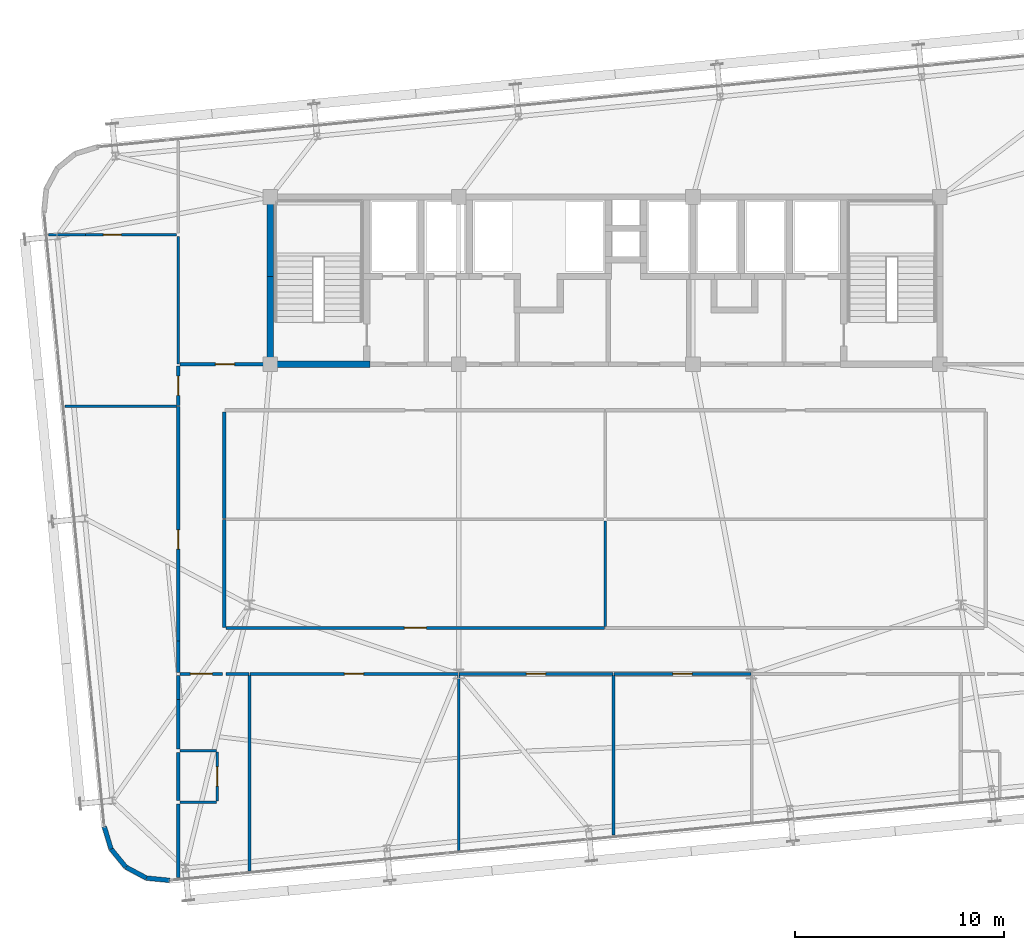
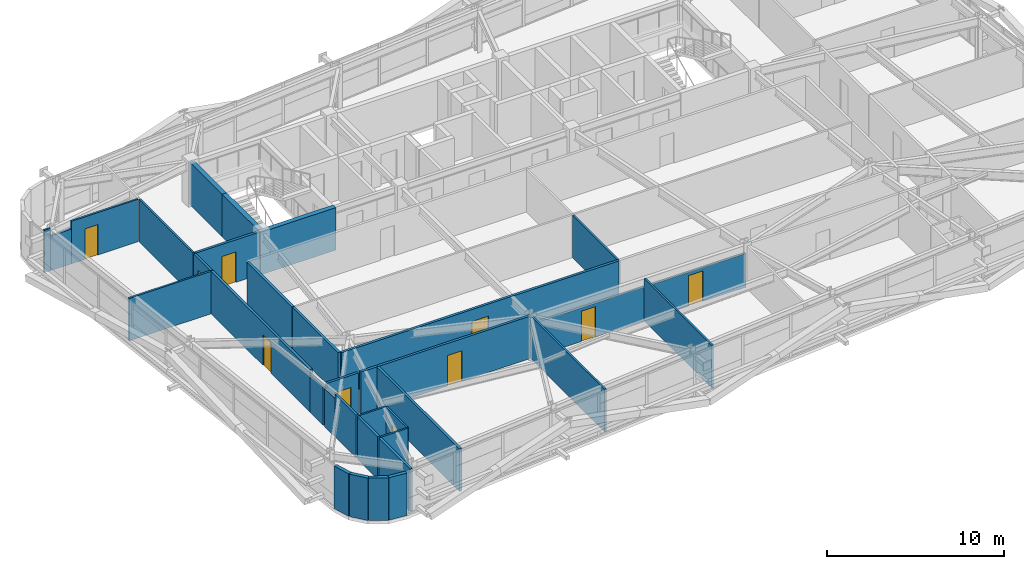
# One storey, part 46 of 52: 35 walls, 10 doors, 10 openings.
"""IFC4 building model written with IfcOpenShell, lengths in metres."""

import ifcopenshell
import ifcopenshell.guid

model = None  # the IFC model being written
_history = None  # IfcOwnerHistory: only IFC2X3 demands one
_inside = {}  # id of a spatial element -> (the spatial element, [elements in it])
_under = {}  # id of a project, library or spatial element -> (it, [spatial elements below it])
_declared = {}  # id of a project -> (the project, [libraries it declares])
_typed = {}  # id of a type object -> (the type object, [elements of that type])
_made_of = {}  # id of a material, layer set ... -> (it, [elements and type objects made of it])


def new_model(schema):
    """Start an empty IFC model of exactly this schema.

    Asked for "IFC4X3", IfcOpenShell would pick the latest addendum, in which some entities
    have other attributes; the version numbers below select the first issue.
    IFC2X3 requires an IfcOwnerHistory on every rooted entity: one is made here for all.
    """
    global model, _history
    if schema == "IFC4X3":
        model = ifcopenshell.file(schema_version=(4, 3, 0, 0))
    else:
        model = ifcopenshell.file(schema=schema)
    _inside.clear()
    _under.clear()
    _declared.clear()
    _typed.clear()
    _made_of.clear()
    _history = None
    if model.schema == "IFC2X3":
        org = make("IfcOrganization", Name="unknown")
        user = make(
            "IfcPersonAndOrganization",
            ThePerson=make("IfcPerson", FamilyName="unknown"),
            TheOrganization=org,
        )
        app = make(
            "IfcApplication",
            ApplicationDeveloper=org,
            Version="unknown",
            ApplicationFullName="unknown",
            ApplicationIdentifier="unknown",
        )
        _history = make(
            "IfcOwnerHistory",
            OwningUser=user,
            OwningApplication=app,
            ChangeAction="ADDED",
            CreationDate=0,
        )
    return model


def make(cls, **values):
    """One entity of the class cls with the attributes given. An attribute that is None is left unset."""
    return model.create_entity(
        cls, **{name: value for name, value in values.items() if value is not None}
    )


def rooted(cls, **values):
    """An entity with a GlobalId (a new one), such as an element, a storey or a relation."""
    return make(cls, GlobalId=ifcopenshell.guid.new(), OwnerHistory=_history, **values)


def si_unit(unit_type, name, prefix=None):
    """IfcSIUnit, for example si_unit("LENGTHUNIT", "METRE", prefix="MILLI")."""
    return make("IfcSIUnit", UnitType=unit_type, Prefix=prefix, Name=name)


def assignment(units):
    """IfcUnitAssignment: the units of a project."""
    return None if units is None else make("IfcUnitAssignment", Units=units)


def point(xyz):
    """IfcCartesianPoint."""
    return None if xyz is None else make("IfcCartesianPoint", Coordinates=xyz)


def direction(xyz):
    """IfcDirection."""
    return None if xyz is None else make("IfcDirection", DirectionRatios=xyz)


def frame(location, z_axis=None, x_axis=None):
    """IfcAxis2Placement3D, a coordinate frame: its origin and axes. An axis left out is left unset."""
    return make(
        "IfcAxis2Placement3D",
        Location=point(location),
        Axis=direction(z_axis),
        RefDirection=direction(x_axis),
    )


def frame_2d(location, x_axis=None):
    """IfcAxis2Placement2D, a coordinate frame in the plane: its origin and x axis."""
    return make(
        "IfcAxis2Placement2D", Location=point(location), RefDirection=direction(x_axis)
    )


def origin():
    """The frame at (0, 0, 0) with its axes left unset."""
    return frame((0.0, 0.0, 0.0))


def place(relative_to, where):
    """IfcLocalPlacement: puts the frame where relative to a parent placement (None: the world)."""
    return make(
        "IfcLocalPlacement", PlacementRelTo=relative_to, RelativePlacement=where
    )


def context(
    kind, dimensions, precision=None, world=None, true_north=None, identifier=None
):
    """IfcGeometricRepresentationContext, for example the 3D "Model" context."""
    return make(
        "IfcGeometricRepresentationContext",
        ContextIdentifier=identifier,
        ContextType=kind,
        CoordinateSpaceDimension=dimensions,
        Precision=precision,
        WorldCoordinateSystem=world,
        TrueNorth=true_north,
    )


def subcontext(parent, identifier, kind, view, scale=None):
    """IfcGeometricRepresentationSubContext, for example "Body" below "Model"."""
    return make(
        "IfcGeometricRepresentationSubContext",
        ContextIdentifier=identifier,
        ContextType=kind,
        ParentContext=parent,
        TargetScale=scale,
        TargetView=view,
    )


def project(units=None, contexts=None):
    """IfcProject with its units and contexts."""
    return rooted(
        "IfcProject",
        Name="project",
        RepresentationContexts=contexts,
        UnitsInContext=assignment(units),
    )


def spatial(cls, under=None, at=None, **own):
    """A site, building, storey or space (cls), placed at a placement, below another one or the project."""
    s = rooted(cls, ObjectPlacement=at, **own)
    if under is not None:
        _under.setdefault(under.id(), (under, []))[1].append(s)
    return s


def profile(cls, at=None, kind="AREA", **sizes):
    """A parametric profile (cls). Its sizes go by their IFC names, for example OverallWidth=200.0."""
    return make(cls, ProfileType=kind, Position=at, **sizes)


def rectangle(**sizes):
    """IfcRectangleProfileDef."""
    return profile("IfcRectangleProfileDef", **sizes)


def extrude(swept, where, along, depth):
    """IfcExtrudedAreaSolid: the profile swept, set in the frame where, extruded along a direction by depth."""
    return make(
        "IfcExtrudedAreaSolid",
        SweptArea=swept,
        Position=where,
        ExtrudedDirection=direction(along),
        Depth=depth,
    )


def shape(context_of_items, identifier, shape_type, items):
    """IfcShapeRepresentation: the items that make up one representation, for example the "Body"."""
    return make(
        "IfcShapeRepresentation",
        ContextOfItems=context_of_items,
        RepresentationIdentifier=identifier,
        RepresentationType=shape_type,
        Items=items,
    )


def source(mapping_origin, context_of_items, identifier, shape_type, items):
    """IfcRepresentationMap: a shape defined once, which mapped items show again and again."""
    return make(
        "IfcRepresentationMap",
        MappingOrigin=mapping_origin,
        MappedRepresentation=shape(context_of_items, identifier, shape_type, items),
    )


def transform(
    local_origin,
    x_axis=None,
    y_axis=None,
    z_axis=None,
    scale=None,
    scale2=None,
    scale3=None,
    uniform=True,
):
    """IfcCartesianTransformationOperator3D, or its non-uniform kind. x_axis, y_axis, z_axis: its Axis1, 2, 3."""
    if uniform:
        return make(
            "IfcCartesianTransformationOperator3D",
            Axis1=direction(x_axis),
            Axis2=direction(y_axis),
            LocalOrigin=point(local_origin),
            Scale=scale,
            Axis3=direction(z_axis),
        )
    return make(
        "IfcCartesianTransformationOperator3DnonUniform",
        Axis1=direction(x_axis),
        Axis2=direction(y_axis),
        LocalOrigin=point(local_origin),
        Scale=scale,
        Axis3=direction(z_axis),
        Scale2=scale2,
        Scale3=scale3,
    )


def mapped(mapping_source, mapping_target):
    """IfcMappedItem: shows the shape of a source again, moved by a transform."""
    return make(
        "IfcMappedItem", MappingSource=mapping_source, MappingTarget=mapping_target
    )


def material(Name=None, Category=None):
    """IfcMaterial."""
    return make("IfcMaterial", Name=Name, Category=Category)


def layer(
    of_material, thickness, ventilated=None, Name=None, Category=None, Priority=None
):
    """IfcMaterialLayer: one layer of a wall or slab, of a material (None: an air gap)."""
    return make(
        "IfcMaterialLayer",
        Material=of_material,
        LayerThickness=thickness,
        IsVentilated=ventilated,
        Name=Name,
        Category=Category,
        Priority=Priority,
    )


def layer_set(layers, Name=None):
    """IfcMaterialLayerSet."""
    return make("IfcMaterialLayerSet", MaterialLayers=layers, LayerSetName=Name)


def made_of(thing, what):
    """Note that an element or type object is made of a material, layer set ...; save() writes the relation."""
    if what is not None:
        _made_of.setdefault(what.id(), (what, []))[1].append(thing)
    return thing


def type_object(cls, material=None, **own):
    """A type object (cls), such as IfcWallType, which elements share."""
    return made_of(rooted(cls, **own), material)


def element(
    cls,
    number,
    at=None,
    inside=None,
    cuts=None,
    type_object=None,
    material=None,
    context=None,
    identifier="Body",
    shape_type=None,
    held_by="IfcProductDefinitionShape",
    body=None,
    shapes=None,
    **own,
):
    """One element of the class cls, such as IfcWall. Its Tag is "e" and its number.

    at: its placement. inside: the storey or other place that contains it. cuts: it is an
    opening in that element (IfcRelVoidsElement). A single representation is given by context,
    identifier, shape_type and body (its items); several are given by shapes. held_by: the class
    of the entity that holds the representations. save() writes the other relations.
    """
    e = rooted(cls, Tag="e%d" % number, ObjectPlacement=at, **own)
    if body is not None:
        shapes = [shape(context, identifier, shape_type, body)]
    if shapes is not None:
        e.Representation = make(held_by, Representations=shapes)
    if inside is not None:
        _inside.setdefault(inside.id(), (inside, []))[1].append(e)
    if cuts is not None:
        rooted(
            "IfcRelVoidsElement", RelatingBuildingElement=cuts, RelatedOpeningElement=e
        )
    if type_object is not None:
        _typed.setdefault(type_object.id(), (type_object, []))[1].append(e)
    return made_of(e, material)


def fill(opening, filler):
    """IfcRelFillsElement: the door or window that sits in an opening."""
    return rooted(
        "IfcRelFillsElement",
        RelatingOpeningElement=opening,
        RelatedBuildingElement=filler,
    )


def aggregate(whole, parts):
    """IfcRelAggregates: a whole, such as a stair, and the parts it consists of."""
    return rooted("IfcRelAggregates", RelatingObject=whole, RelatedObjects=parts)


def save(model, path):
    """Write the relations noted so far, then the file.

    IfcRelAggregates (storeys below a building ...), IfcRelContainedInSpatialStructure (elements
    in a storey), IfcRelDefinesByType, IfcRelAssociatesMaterial and IfcRelDeclares: one each for
    every whole, place, type object, material and project.
    """
    for whole, parts in _under.values():
        aggregate(whole, parts)
    for where, things in _inside.values():
        rooted(
            "IfcRelContainedInSpatialStructure",
            RelatedElements=things,
            RelatingStructure=where,
        )
    for kind, things in _typed.values():
        rooted("IfcRelDefinesByType", RelatedObjects=things, RelatingType=kind)
    for what, things in _made_of.values():
        rooted("IfcRelAssociatesMaterial", RelatedObjects=things, RelatingMaterial=what)
    for by, libraries in _declared.values():
        rooted("IfcRelDeclares", RelatingContext=by, RelatedDefinitions=libraries)
    model.write(path)


model = new_model("IFC4")

# Units and contexts
model_context = context("Model", 3, precision=1e-05, world=origin(), true_north=direction((0.0, 1.0)))
body_context = subcontext(model_context, "Body", "Model", "MODEL_VIEW")
ifc_project = project(units=[si_unit("LENGTHUNIT", "METRE"), si_unit("AREAUNIT", "SQUARE_METRE"), si_unit("VOLUMEUNIT", "CUBIC_METRE"), si_unit("PLANEANGLEUNIT", "RADIAN"), si_unit("MASSUNIT", "GRAM", prefix="KILO")], contexts=[model_context])

# Site, building, storey
site_placement = place(None, origin())
site = spatial("IfcSite", under=ifc_project, at=site_placement, CompositionType="ELEMENT")
building_placement = place(site_placement, origin())
building = spatial("IfcBuilding", under=site, at=building_placement, Name="Taldren Reach Tower", CompositionType="ELEMENT")
storey_placement = place(building_placement, frame((0.0, 0.0, 74.550048828125)))
storey = spatial("IfcBuildingStorey", under=building, at=storey_placement, Name="L22", CompositionType="ELEMENT", Elevation=74.550048828125)

# Walls
ifc_material_1 = material(Name="Pale Champagne Anodised Aluminium Cladding", Category="aluminium")
ifc_layer_1 = layer(ifc_material_1, 0.04, Name="Pale Champagne Anodised Aluminium Cladding", Category="aluminium")
ifc_material_2 = material(Name="Mineral Wool Acoustic Insulation", Category="insulation")
ifc_layer_2 = layer(ifc_material_2, 0.06, Name="Mineral Wool Acoustic Insulation", Category="insulation")
ifc_material_3 = material(Name="Steel Gr 350 (C350L0)", Category="steel")
ifc_layer_3 = layer(ifc_material_3, 0.12, Name="Steel Gr 350 (C350L0)", Category="steel")
ifc_layer_set_1 = layer_set([ifc_layer_1, ifc_layer_2, ifc_layer_3], Name="Pale Champagne Aluminium Cladding and Steel Gr 350 Stud Framing")
wall_type_1 = type_object("IfcWallType", Name="EW-CRN-220", PredefinedType="SOLIDWALL", material=ifc_layer_set_1)
shared_shape_1 = source(origin(), body_context, "Body", "SweptSolid", [
    extrude(rectangle(XDim=1.115966796875, YDim=0.219970703125, at=frame_2d((0.55810546875, 0.0))), origin(), (0.0, 0.0, 1.0), 2.929931640625),
])
for number, where, z_axis, x_axis, name in (
    (1, (11.062255859375, 1.90185546875, 0.0), (0.0, 0.0, 1.0), (0.289855603468, -0.957070388811, 0.0), "Rounded-corner pale-metal facade wall L22-SW1"),
    (2, (11.3857421875, 0.833740234375, 0.0), (0.0, 0.0, 1.0), (0.633988016432, -0.773342870285, 0.0), "Rounded-corner pale-metal facade wall L22-SW2"),
    (3, (13.0771484375, -0.5556640625, 0.0), (0.0, 0.0, 1.0), (0.995142755671, -0.09844234778, 0.0), "Rounded-corner pale-metal facade wall L22-SW4"),
):
    element("IfcWall", number, at=place(storey_placement, frame(where, z_axis=z_axis, x_axis=x_axis)), inside=storey, type_object=wall_type_1, Name=name, PredefinedType="SOLIDWALL", context=body_context, shape_type="MappedRepresentation", body=[
        mapped(shared_shape_1, transform((0.0, 0.0, 0.0), scale=1.0)),
    ])
shared_shape_2 = source(origin(), body_context, "Body", "SweptSolid", [
    extrude(rectangle(XDim=1.11572265625, YDim=0.219970703125, at=frame_2d((0.557861328125, 0.0))), origin(), (0.0, 0.0, 1.0), 2.929931640625),
])
wall_1_placement = place(storey_placement, frame((12.09326171875, -0.029296875, 0.0), z_axis=(0.0, 0.0, 1.0), x_axis=(0.881746547635, -0.471723463201, 0.0)))
element("IfcWall", 4, at=wall_1_placement, inside=storey, type_object=wall_type_1, Name="Rounded-corner pale-metal facade wall L22-SW3", PredefinedType="SOLIDWALL", context=body_context, shape_type="MappedRepresentation", body=[
    mapped(shared_shape_2, transform((0.0, 0.0, 0.0), scale=1.0)),
])

# Wall, opening, door
ifc_material_4 = material(Name="Fire-Rated Acoustic Plasterboard Stud Wall", Category="gypsum")
ifc_layer_4 = layer(ifc_material_4, 0.159912109375)
ifc_layer_set_2 = layer_set([ifc_layer_4], Name="Fire-Rated Acoustic Plasterboard Stud Wall")
wall_type_2 = type_object("IfcWallType", Name="IW-FIRE-160", PredefinedType="PARTITIONING", material=ifc_layer_set_2)
shared_shape_3 = source(origin(), body_context, "Body", "SweptSolid", [
    extrude(rectangle(XDim=2.0400390625, YDim=0.159912109375, at=frame_2d((1.02001953125, 0.0))), origin(), (0.0, 0.0, 1.0), 2.929931640625),
])
wall_2_placement = place(storey_placement, frame((16.719970703125, 9.199951171875, 0.0), z_axis=(0.0, 0.0, 1.0), x_axis=(-1.0, 0.0, 0.0)))
wall_2 = element("IfcWall", 5, at=wall_2_placement, inside=storey, type_object=wall_type_2, Name="Interior Partition Wall W-INT-L22-053", PredefinedType="PARTITIONING", context=body_context, shape_type="MappedRepresentation", body=[
    mapped(shared_shape_3, transform((0.0, 0.0, 0.0), scale=1.0)),
])
shared_shape_4 = source(origin(), body_context, "Body", "SweptSolid", [
    extrude(rectangle(XDim=1.050048828125, YDim=2.10009765625, at=frame_2d((0.52490234375, 1.050048828125))), frame((0.0, 0.08984375, 0.0), z_axis=(0.0, -1.0, 0.0), x_axis=(1.0, 0.0, 0.0)), (0.0, 0.0, 1.0), 0.179931640625),
])
opening_1_placement = place(wall_2_placement, frame((0.4951171875, 0.0, 0.0)))
opening_1 = element("IfcOpeningElement", 6, at=opening_1_placement, cuts=wall_2, Name="Opening DF-105", PredefinedType="OPENING", context=body_context, shape_type="MappedRepresentation", body=[
    mapped(shared_shape_4, transform((0.0, 0.0, 0.0), scale=1.0)),
])
ifc_material_5 = material(Name="Fire-Rated Care and Stair Exit Door")
door_type_1 = type_object("IfcDoorType", Name="ID-FIRE-105", OperationType="NOTDEFINED", PredefinedType="DOOR", material=ifc_material_5)
shared_shape_5 = source(origin(), body_context, "Body", "SweptSolid", [
    extrude(rectangle(XDim=1.050048828125, YDim=2.10009765625, at=frame_2d((0.52490234375, 1.050048828125))), frame((0.0, 0.02490234375, 0.0), z_axis=(0.0, -1.0, 0.0), x_axis=(1.0, 0.0, 0.0)), (0.0, 0.0, 1.0), 0.050048828125),
])
door_1_placement = place(opening_1_placement, origin())
door_1 = element("IfcDoor", 7, at=door_1_placement, inside=storey, type_object=door_type_1, Name="Interior Door DR-L22-011", OperationType="SINGLE_SWING_RIGHT", OverallHeight=2.10009765625, OverallWidth=1.050048828125, PredefinedType="DOOR", context=body_context, shape_type="MappedRepresentation", body=[
    mapped(shared_shape_5, transform((0.0, 0.0, 0.0), scale=1.0)),
])
fill(opening_1, door_1)

# Walls
shared_shape_6 = source(origin(), body_context, "Body", "SweptSolid", [
    extrude(rectangle(XDim=5.15966796875, YDim=0.159912109375, at=frame_2d((2.579833984375, 0.0))), origin(), (0.0, 0.0, 1.0), 2.929931640625),
])
wall_3_placement = place(storey_placement, frame((16.800048828125, 16.579833984375, 0.0), z_axis=(0.0, 0.0, 1.0), x_axis=(0.0, -1.0, 0.0)))
element("IfcWall", 8, at=wall_3_placement, inside=storey, type_object=wall_type_2, Name="Interior Partition Wall W-INT-L22-047", PredefinedType="PARTITIONING", context=body_context, shape_type="MappedRepresentation", body=[
    mapped(shared_shape_6, transform((0.0, 0.0, 0.0), scale=1.0)),
])
shared_shape_7 = source(origin(), body_context, "Body", "SweptSolid", [
    extrude(rectangle(XDim=5.099853515625, YDim=0.159912109375, at=frame_2d((2.5498046875, 0.0))), origin(), (0.0, 0.0, 1.0), 2.929931640625),
])
wall_4_placement = place(storey_placement, frame((16.800048828125, 21.719970703125, 0.0), z_axis=(0.0, 0.0, 1.0), x_axis=(0.0, -1.0, 0.0)))
element("IfcWall", 9, at=wall_4_placement, inside=storey, type_object=wall_type_2, Name="Interior Partition Wall W-INT-L22-049", PredefinedType="PARTITIONING", context=body_context, shape_type="MappedRepresentation", body=[
    mapped(shared_shape_7, transform((0.0, 0.0, 0.0), scale=1.0)),
])

# Wall, opening, door
shared_shape_8 = source(origin(), body_context, "Body", "SweptSolid", [
    extrude(rectangle(XDim=1.899658203125, YDim=0.159912109375, at=frame_2d((0.94970703125, 0.0))), origin(), (0.0, 0.0, 1.0), 2.929931640625),
])
wall_5_placement = place(storey_placement, frame((14.60009765625, 22.020263671875, 0.0), z_axis=(0.0, 0.0, 1.0), x_axis=(0.0, 1.0, 0.0)))
wall_5 = element("IfcWall", 10, at=wall_5_placement, inside=storey, type_object=wall_type_2, Name="Interior Partition Wall W-INT-L22-056", PredefinedType="PARTITIONING", context=body_context, shape_type="MappedRepresentation", body=[
    mapped(shared_shape_8, transform((0.0, 0.0, 0.0), scale=1.0)),
])
shared_shape_9 = source(origin(), body_context, "Body", "SweptSolid", [
    extrude(rectangle(XDim=0.919921875, YDim=2.10009765625, at=frame_2d((0.4599609375, 1.050048828125))), frame((0.0, 0.08984375, 0.0), z_axis=(0.0, -1.0, 0.0), x_axis=(1.0, 0.0, 0.0)), (0.0, 0.0, 1.0), 0.179931640625),
])
opening_2_placement = place(wall_5_placement, frame((0.489990234375, 0.0, 0.0)))
opening_2 = element("IfcOpeningElement", 11, at=opening_2_placement, cuts=wall_5, Name="Opening DI-092", PredefinedType="OPENING", context=body_context, shape_type="MappedRepresentation", body=[
    mapped(shared_shape_9, transform((0.0, 0.0, 0.0), scale=1.0)),
])
ifc_material_6 = material(Name="Solid-Core Timber Suite Door", Category="wood")
door_type_2 = type_object("IfcDoorType", Name="ID-INT-092", OperationType="NOTDEFINED", PredefinedType="DOOR", material=ifc_material_6)
shared_shape_10 = source(origin(), body_context, "Body", "SweptSolid", [
    extrude(rectangle(XDim=0.919921875, YDim=2.10009765625, at=frame_2d((0.4599609375, 1.050048828125))), frame((0.0, 0.02490234375, 0.0), z_axis=(0.0, -1.0, 0.0), x_axis=(1.0, 0.0, 0.0)), (0.0, 0.0, 1.0), 0.050048828125),
])
door_2_placement = place(opening_2_placement, origin())
door_2 = element("IfcDoor", 12, at=door_2_placement, inside=storey, type_object=door_type_2, Name="Interior Door DR-L22-014", OperationType="SINGLE_SWING_LEFT", OverallHeight=2.10009765625, OverallWidth=0.919921875, PredefinedType="DOOR", context=body_context, shape_type="MappedRepresentation", body=[
    mapped(shared_shape_10, transform((0.0, 0.0, 0.0), scale=1.0)),
])
fill(opening_2, door_2)

shared_shape_11 = source(origin(), body_context, "Body", "SweptSolid", [
    extrude(rectangle(XDim=18.099853515625, YDim=0.159912109375, at=frame_2d((9.0498046875, 0.0))), origin(), (0.0, 0.0, 1.0), 2.929931640625),
])
wall_6_placement = place(storey_placement, frame((16.8798828125, 11.39990234375, 0.0), z_axis=(0.0, 0.0, 1.0), x_axis=(1.0, 0.0, 0.0)))
wall_6 = element("IfcWall", 13, at=wall_6_placement, inside=storey, type_object=wall_type_2, Name="Interior Partition Wall W-INT-L22-062", PredefinedType="PARTITIONING", context=body_context, shape_type="MappedRepresentation", body=[
    mapped(shared_shape_11, transform((0.0, 0.0, 0.0), scale=1.0)),
])
opening_3_placement = place(wall_6_placement, frame((8.52490234375, 0.0, 0.0)))
opening_3 = element("IfcOpeningElement", 14, at=opening_3_placement, cuts=wall_6, Name="Opening DF-105", PredefinedType="OPENING", context=body_context, shape_type="MappedRepresentation", body=[
    mapped(shared_shape_4, transform((0.0, 0.0, 0.0), scale=1.0)),
])
door_3_placement = place(opening_3_placement, origin())
door_3 = element("IfcDoor", 15, at=door_3_placement, inside=storey, type_object=door_type_1, Name="Interior Door DR-L22-019", OperationType="SINGLE_SWING_RIGHT", OverallHeight=2.10009765625, OverallWidth=1.050048828125, PredefinedType="DOOR", context=body_context, shape_type="MappedRepresentation", body=[
    mapped(shared_shape_5, transform((0.0, 0.0, 0.0), scale=1.0)),
])
fill(opening_3, door_3)

# Walls
shared_shape_12 = source(origin(), body_context, "Body", "SweptSolid", [
    extrude(rectangle(XDim=1.099853515625, YDim=0.159912109375, at=frame_2d((0.5498046875, 0.0))), origin(), (0.0, 0.0, 1.0), 2.929931640625),
])
wall_7_placement = place(storey_placement, frame((17.979736328125, 9.199951171875, 0.0), z_axis=(0.0, 0.0, 1.0), x_axis=(-1.0, 0.0, 0.0)))
element("IfcWall", 16, at=wall_7_placement, inside=storey, type_object=wall_type_2, Name="Interior Partition Wall W-INT-L22-064", PredefinedType="PARTITIONING", context=body_context, shape_type="MappedRepresentation", body=[
    mapped(shared_shape_12, transform((0.0, 0.0, 0.0), scale=1.0)),
])
ifc_material_7 = material(Name="Insulated Residential Stud Partition", Category="gypsum")
ifc_layer_5 = layer(ifc_material_7, 0.1201171875)
ifc_layer_set_3 = layer_set([ifc_layer_5], Name="Insulated Residential Stud Partition")
wall_type_3 = type_object("IfcWallType", Name="IW-PART-120", PredefinedType="PARTITIONING", material=ifc_layer_set_3)
shared_shape_13 = source(origin(), body_context, "Body", "SweptSolid", [
    extrude(rectangle(XDim=5.0400390625, YDim=0.1201171875, at=frame_2d((2.52001953125, 0.0))), origin(), (0.0, 0.0, 1.0), 2.929931640625),
])
wall_8_placement = place(storey_placement, frame((35.0, 16.52001953125, 0.0), z_axis=(0.0, 0.0, 1.0), x_axis=(0.0, -1.0, 0.0)))
element("IfcWall", 17, at=wall_8_placement, inside=storey, type_object=wall_type_3, Name="Interior Partition Wall W-INT-L22-071", PredefinedType="PARTITIONING", context=body_context, shape_type="MappedRepresentation", body=[
    mapped(shared_shape_13, transform((0.0, 0.0, 0.0), scale=1.0)),
])

# Wall, opening, door
shared_shape_14 = source(origin(), body_context, "Body", "SweptSolid", [
    extrude(rectangle(XDim=2.330078125, YDim=0.1201171875, at=frame_2d((1.1650390625, 0.0))), origin(), (0.0, 0.0, 1.0), 2.929931640625),
])
wall_9_placement = place(storey_placement, frame((16.449951171875, 3.131591796875, 0.0), z_axis=(0.0, 0.0, 1.0), x_axis=(0.0, 1.0, 0.0)))
wall_9 = element("IfcWall", 18, at=wall_9_placement, inside=storey, type_object=wall_type_3, Name="Interior Partition Wall W-INT-L22-074", PredefinedType="PARTITIONING", context=body_context, shape_type="MappedRepresentation", body=[
    mapped(shared_shape_14, transform((0.0, 0.0, 0.0), scale=1.0)),
])
shared_shape_15 = source(origin(), body_context, "Body", "SweptSolid", [
    extrude(rectangle(XDim=0.919921875, YDim=2.10009765625, at=frame_2d((0.4599609375, 1.050048828125))), frame((0.0, 0.070068359375, 0.0), z_axis=(0.0, -1.0, 0.0), x_axis=(1.0, 0.0, 0.0)), (0.0, 0.0, 1.0), 0.14013671875),
])
opening_4_placement = place(wall_9_placement, frame((0.705078125, 0.0, 0.0)))
opening_4 = element("IfcOpeningElement", 19, at=opening_4_placement, cuts=wall_9, Name="Opening DI-092", PredefinedType="OPENING", context=body_context, shape_type="MappedRepresentation", body=[
    mapped(shared_shape_15, transform((0.0, 0.0, 0.0), scale=1.0)),
])
door_4_placement = place(opening_4_placement, origin())
door_4 = element("IfcDoor", 20, at=door_4_placement, inside=storey, type_object=door_type_2, Name="Interior Door DR-L22-025", OperationType="SINGLE_SWING_RIGHT", OverallHeight=2.10009765625, OverallWidth=0.919921875, PredefinedType="DOOR", context=body_context, shape_type="MappedRepresentation", body=[
    mapped(shared_shape_10, transform((0.0, 0.0, 0.0), scale=1.0)),
])
fill(opening_4, door_4)

# Walls
shared_shape_16 = source(origin(), body_context, "Body", "SweptSolid", [
    extrude(rectangle(XDim=1.749755859375, YDim=0.1201171875, at=frame_2d((0.875, 0.0))), origin(), (0.0, 0.0, 1.0), 2.929931640625),
])
for number, where, z_axis, x_axis, name in (
    (21, (14.679931640625, 3.071533203125, 0.0), (0.0, 0.0, 1.0), (1.0, 0.0, 0.0), "Interior Partition Wall W-INT-L22-075"),
    (22, (16.4296875, 5.521484375, 0.0), (0.0, 0.0, 1.0), (-1.0, 0.0, 0.0), "Interior Partition Wall W-INT-L22-076"),
):
    element("IfcWall", number, at=place(storey_placement, frame(where, z_axis=z_axis, x_axis=x_axis)), inside=storey, type_object=wall_type_3, Name=name, PredefinedType="PARTITIONING", context=body_context, shape_type="MappedRepresentation", body=[
        mapped(shared_shape_16, transform((0.0, 0.0, 0.0), scale=1.0)),
    ])
shared_shape_17 = source(origin(), body_context, "Body", "SweptSolid", [
    extrude(rectangle(XDim=2.2900390625, YDim=0.159912109375, at=frame_2d((1.14501953125, 0.0))), origin(), (0.0, 0.0, 1.0), 2.929931640625),
])
wall_10_placement = place(storey_placement, frame((14.60009765625, 3.151611328125, 0.0), z_axis=(0.0, 0.0, 1.0), x_axis=(0.0, 1.0, 0.0)))
element("IfcWall", 23, at=wall_10_placement, inside=storey, type_object=wall_type_2, Name="Interior Partition Wall W-INT-L22-080", PredefinedType="PARTITIONING", context=body_context, shape_type="MappedRepresentation", body=[
    mapped(shared_shape_17, transform((0.0, 0.0, 0.0), scale=1.0)),
])

# Wall, opening, door
shared_shape_18 = source(origin(), body_context, "Body", "SweptSolid", [
    extrude(rectangle(XDim=9.95947265625, YDim=0.159912109375, at=frame_2d((4.979736328125, 0.0))), origin(), (0.0, 0.0, 1.0), 2.929931640625),
])
wall_11_placement = place(storey_placement, frame((27.979736328125, 9.199951171875, 0.0), z_axis=(0.0, 0.0, 1.0), x_axis=(-1.0, 0.0, 0.0)))
wall_11 = element("IfcWall", 24, at=wall_11_placement, inside=storey, type_object=wall_type_2, Name="Interior Partition Wall W-INT-L22-065", PredefinedType="PARTITIONING", context=body_context, shape_type="MappedRepresentation", body=[
    mapped(shared_shape_18, transform((0.0, 0.0, 0.0), scale=1.0)),
])
opening_5_placement = place(wall_11_placement, frame((4.519775390625, 0.0, 0.0)))
opening_5 = element("IfcOpeningElement", 25, at=opening_5_placement, cuts=wall_11, Name="Opening DI-092", PredefinedType="OPENING", context=body_context, shape_type="MappedRepresentation", body=[
    mapped(shared_shape_9, transform((0.0, 0.0, 0.0), scale=1.0)),
])
door_5_placement = place(opening_5_placement, origin())
door_5 = element("IfcDoor", 26, at=door_5_placement, inside=storey, type_object=door_type_2, Name="Interior Door DR-L22-021", OperationType="SINGLE_SWING_RIGHT", OverallHeight=2.10009765625, OverallWidth=0.919921875, PredefinedType="DOOR", context=body_context, shape_type="MappedRepresentation", body=[
    mapped(shared_shape_10, transform((0.0, 0.0, 0.0), scale=1.0)),
])
fill(opening_5, door_5)

shared_shape_19 = source(origin(), body_context, "Body", "SweptSolid", [
    extrude(rectangle(XDim=7.359619140625, YDim=0.159912109375, at=frame_2d((3.6796875, 0.0))), origin(), (0.0, 0.0, 1.0), 2.327880859375),
])
wall_12_placement = place(storey_placement, frame((35.3798828125, 9.199951171875, 0.0), z_axis=(0.0, 0.0, 1.0), x_axis=(-1.0, 0.0, 0.0)))
wall_12 = element("IfcWall", 27, at=wall_12_placement, inside=storey, type_object=wall_type_2, Name="Interior Partition Wall W-INT-L22-066", PredefinedType="PARTITIONING", context=body_context, shape_type="MappedRepresentation", body=[
    mapped(shared_shape_19, transform((0.0, 0.0, 0.0), scale=1.0)),
])
opening_6_placement = place(wall_12_placement, frame((3.2197265625, 0.0, 0.0)))
opening_6 = element("IfcOpeningElement", 28, at=opening_6_placement, cuts=wall_12, Name="Opening DI-092", PredefinedType="OPENING", context=body_context, shape_type="MappedRepresentation", body=[
    mapped(shared_shape_9, transform((0.0, 0.0, 0.0), scale=1.0)),
])
door_6_placement = place(opening_6_placement, origin())
door_6 = element("IfcDoor", 29, at=door_6_placement, inside=storey, type_object=door_type_2, Name="Interior Door DR-L22-022", OperationType="SINGLE_SWING_LEFT", OverallHeight=2.10009765625, OverallWidth=0.919921875, PredefinedType="DOOR", context=body_context, shape_type="MappedRepresentation", body=[
    mapped(shared_shape_10, transform((0.0, 0.0, 0.0), scale=1.0)),
])
fill(opening_6, door_6)

shared_shape_20 = source(origin(), body_context, "Body", "SweptSolid", [
    extrude(rectangle(XDim=6.5595703125, YDim=0.159912109375, at=frame_2d((3.27978515625, 0.0))), origin(), (0.0, 0.0, 1.0), 2.327880859375),
])
wall_13_placement = place(storey_placement, frame((41.979736328125, 9.199951171875, 0.0), z_axis=(0.0, 0.0, 1.0), x_axis=(-1.0, 0.0, 0.0)))
wall_13 = element("IfcWall", 30, at=wall_13_placement, inside=storey, type_object=wall_type_2, Name="Interior Partition Wall W-INT-L22-067", PredefinedType="PARTITIONING", context=body_context, shape_type="MappedRepresentation", body=[
    mapped(shared_shape_20, transform((0.0, 0.0, 0.0), scale=1.0)),
])
opening_7_placement = place(wall_13_placement, frame((2.81982421875, 0.0, 0.0)))
opening_7 = element("IfcOpeningElement", 31, at=opening_7_placement, cuts=wall_13, Name="Opening DI-092", PredefinedType="OPENING", context=body_context, shape_type="MappedRepresentation", body=[
    mapped(shared_shape_9, transform((0.0, 0.0, 0.0), scale=1.0)),
])
door_7_placement = place(opening_7_placement, origin())
door_7 = element("IfcDoor", 32, at=door_7_placement, inside=storey, type_object=door_type_2, Name="Interior Door DR-L22-023", OperationType="SINGLE_SWING_RIGHT", OverallHeight=2.10009765625, OverallWidth=0.919921875, PredefinedType="DOOR", context=body_context, shape_type="MappedRepresentation", body=[
    mapped(shared_shape_10, transform((0.0, 0.0, 0.0), scale=1.0)),
])
fill(opening_7, door_7)

# Walls
ifc_material_8 = material(Name="Concrete S65 (65 MPa)", Category="concrete")
ifc_layer_6 = layer(ifc_material_8, 0.300048828125)
ifc_layer_set_4 = layer_set([ifc_layer_6], Name="Concrete S65 (65 MPa)")
wall_type_4 = type_object("IfcWallType", Name="IW-CORE-300", PredefinedType="SHEAR", material=ifc_layer_set_4)
shared_shape_21 = source(origin(), body_context, "Body", "SweptSolid", [
    extrude(rectangle(XDim=4.050048828125, YDim=0.300048828125, at=frame_2d((2.02490234375, 0.0))), origin(), (0.0, 0.0, 1.0), 2.929931640625),
])
wall_14_placement = place(storey_placement, frame((19.0, 24.14990234375, 0.0), z_axis=(0.0, 0.0, 1.0), x_axis=(0.0, 1.0, 0.0)))
element("IfcWall", 33, at=wall_14_placement, inside=storey, type_object=wall_type_4, Name="Rear Core Shear Wall W-CORE-L22-WEST1", PredefinedType="SHEAR", context=body_context, shape_type="MappedRepresentation", body=[
    mapped(shared_shape_21, transform((0.0, 0.0, 0.0), scale=1.0)),
])
shared_shape_22 = source(origin(), body_context, "Body", "SweptSolid", [
    extrude(rectangle(XDim=3.650146484375, YDim=0.300048828125, at=frame_2d((1.8251953125, 0.0))), origin(), (0.0, 0.0, 1.0), 2.929931640625),
])
wall_15_placement = place(storey_placement, frame((19.0, 28.199951171875, 0.0), z_axis=(0.0, 0.0, 1.0), x_axis=(0.0, 1.0, 0.0)))
element("IfcWall", 34, at=wall_15_placement, inside=storey, type_object=wall_type_4, Name="Rear Core Shear Wall W-CORE-L22-WEST2", PredefinedType="SHEAR", context=body_context, shape_type="MappedRepresentation", body=[
    mapped(shared_shape_22, transform((0.0, 0.0, 0.0), scale=1.0)),
])
shared_shape_23 = source(origin(), body_context, "Body", "SweptSolid", [
    extrude(rectangle(XDim=4.89990234375, YDim=0.300048828125, at=frame_2d((2.449951171875, 0.0))), origin(), (0.0, 0.0, 1.0), 2.929931640625),
])
wall_16_placement = place(storey_placement, frame((18.85009765625, 24.0, 0.0), z_axis=(0.0, 0.0, 1.0), x_axis=(1.0, 0.0, 0.0)))
element("IfcWall", 35, at=wall_16_placement, inside=storey, type_object=wall_type_4, Name="Rear Core Shear Wall W-INT-L22-003", PredefinedType="SHEAR", context=body_context, shape_type="MappedRepresentation", body=[
    mapped(shared_shape_23, transform((0.0, 0.0, 0.0), scale=1.0)),
])

# Wall, opening, door
shared_shape_24 = source(origin(), body_context, "Body", "SweptSolid", [
    extrude(rectangle(XDim=4.170166015625, YDim=0.159912109375, at=frame_2d((2.0849609375, 0.0))), origin(), (0.0, 0.0, 1.0), 2.929931640625),
])
wall_17_placement = place(storey_placement, frame((14.679931640625, 24.0, 0.0), z_axis=(0.0, 0.0, 1.0), x_axis=(1.0, 0.0, 0.0)))
wall_17 = element("IfcWall", 36, at=wall_17_placement, inside=storey, type_object=wall_type_2, Name="Interior Partition Wall W-INT-L22-060", PredefinedType="PARTITIONING", context=body_context, shape_type="MappedRepresentation", body=[
    mapped(shared_shape_24, transform((0.0, 0.0, 0.0), scale=1.0)),
])
opening_8_placement = place(wall_17_placement, frame((1.68994140625, 0.0, 0.0)))
opening_8 = element("IfcOpeningElement", 37, at=opening_8_placement, cuts=wall_17, Name="Opening DI-092", PredefinedType="OPENING", context=body_context, shape_type="MappedRepresentation", body=[
    mapped(shared_shape_9, transform((0.0, 0.0, 0.0), scale=1.0)),
])
door_8_placement = place(opening_8_placement, origin())
door_8 = element("IfcDoor", 38, at=door_8_placement, inside=storey, type_object=door_type_2, Name="Interior Door DR-L22-018", OperationType="SINGLE_SWING_LEFT", OverallHeight=2.10009765625, OverallWidth=0.919921875, PredefinedType="DOOR", context=body_context, shape_type="MappedRepresentation", body=[
    mapped(shared_shape_10, transform((0.0, 0.0, 0.0), scale=1.0)),
])
fill(opening_8, door_8)

# Walls
shared_shape_25 = source(origin(), body_context, "Body", "SweptSolid", [
    extrude(rectangle(XDim=8.3486328125, YDim=0.1201171875, at=frame_2d((4.17431640625, 0.0))), origin(), (0.0, 0.0, 1.0), 2.929931640625),
])
wall_18_placement = place(storey_placement, frame((28.0, 9.1201171875, 0.0), z_axis=(0.0, 0.0, 1.0), x_axis=(0.0, -1.0, 0.0)))
element("IfcWall", 39, at=wall_18_placement, inside=storey, type_object=wall_type_3, Name="Interior Partition Wall W-INT-L22-081", PredefinedType="PARTITIONING", context=body_context, shape_type="MappedRepresentation", body=[
    mapped(shared_shape_25, transform((0.0, 0.0, 0.0), scale=1.0)),
])
shared_shape_26 = source(origin(), body_context, "Body", "SweptSolid", [
    extrude(rectangle(XDim=9.3251953125, YDim=0.159912109375, at=frame_2d((4.66259765625, 0.0))), origin(), (0.0, 0.0, 1.0), 2.929931640625),
])
wall_19_placement = place(storey_placement, frame((18.0, 9.117919921875, 0.0), z_axis=(0.0, 0.0, 1.0), x_axis=(0.0, -1.0, 0.0)))
element("IfcWall", 40, at=wall_19_placement, inside=storey, type_object=wall_type_2, Name="Interior Partition Wall W-INT-L22-077", PredefinedType="PARTITIONING", context=body_context, shape_type="MappedRepresentation", body=[
    mapped(shared_shape_26, transform((0.0, 0.0, 0.0), scale=1.0)),
])
shared_shape_27 = source(origin(), body_context, "Body", "SweptSolid", [
    extrude(rectangle(XDim=3.5166015625, YDim=0.159912109375, at=frame_2d((1.75830078125, 0.0))), origin(), (0.0, 0.0, 1.0), 2.929931640625),
])
wall_20_placement = place(storey_placement, frame((14.60009765625, -0.52490234375, 0.0), z_axis=(0.0, 0.0, 1.0), x_axis=(0.0, 1.0, 0.0)))
element("IfcWall", 41, at=wall_20_placement, inside=storey, type_object=wall_type_2, Name="Interior Partition Wall W-INT-L22-078", PredefinedType="PARTITIONING", context=body_context, shape_type="MappedRepresentation", body=[
    mapped(shared_shape_27, transform((0.0, 0.0, 0.0), scale=1.0)),
])
shared_shape_28 = source(origin(), body_context, "Body", "SweptSolid", [
    extrude(rectangle(XDim=2.373046875, YDim=0.159912109375, at=frame_2d((1.1865234375, 0.0))), origin(), (0.0, 0.0, 1.0), 2.929931640625),
])
wall_21_placement = place(storey_placement, frame((14.60009765625, 5.6015625, 0.0), z_axis=(0.0, 0.0, 1.0), x_axis=(0.0, 1.0, 0.0)))
element("IfcWall", 42, at=wall_21_placement, inside=storey, type_object=wall_type_2, Name="Interior Partition Wall W-INT-L22-079", PredefinedType="PARTITIONING", context=body_context, shape_type="MappedRepresentation", body=[
    mapped(shared_shape_28, transform((0.0, 0.0, 0.0), scale=1.0)),
])
shared_shape_29 = source(origin(), body_context, "Body", "SweptSolid", [
    extrude(rectangle(XDim=1.143310546875, YDim=0.159912109375, at=frame_2d((0.57177734375, 0.0))), origin(), (0.0, 0.0, 1.0), 2.623046875),
])
wall_22_placement = place(storey_placement, frame((14.60009765625, 7.974609375, 0.0), z_axis=(0.0, 0.0, 1.0), x_axis=(0.0, 1.0, 0.0)))
element("IfcWall", 43, at=wall_22_placement, inside=storey, type_object=wall_type_2, Name="Interior Partition Wall W-INT-L22-079 part 2", PredefinedType="PARTITIONING", context=body_context, shape_type="MappedRepresentation", body=[
    mapped(shared_shape_29, transform((0.0, 0.0, 0.0), scale=1.0)),
])
shared_shape_30 = source(origin(), body_context, "Body", "SweptSolid", [
    extrude(rectangle(XDim=1.498291015625, YDim=0.159912109375, at=frame_2d((0.7490234375, 0.0))), origin(), (0.0, 0.0, 1.0), 2.623046875),
])
wall_23_placement = place(storey_placement, frame((14.60009765625, 9.280029296875, 0.0), z_axis=(0.0, 0.0, 1.0), x_axis=(0.0, 1.0, 0.0)))
element("IfcWall", 44, at=wall_23_placement, inside=storey, type_object=wall_type_2, Name="Interior Partition Wall W-INT-L22-055", PredefinedType="PARTITIONING", context=body_context, shape_type="MappedRepresentation", body=[
    mapped(shared_shape_30, transform((0.0, 0.0, 0.0), scale=1.0)),
])

# Wall, opening, door
shared_shape_31 = source(origin(), body_context, "Body", "SweptSolid", [
    extrude(rectangle(XDim=11.201416015625, YDim=0.159912109375, at=frame_2d((5.6005859375, 0.0))), origin(), (0.0, 0.0, 1.0), 2.929931640625),
])
wall_24_placement = place(storey_placement, frame((14.60009765625, 10.7783203125, 0.0), z_axis=(0.0, 0.0, 1.0), x_axis=(0.0, 1.0, 0.0)))
wall_24 = element("IfcWall", 45, at=wall_24_placement, inside=storey, type_object=wall_type_2, Name="Interior Partition Wall W-INT-L22-055 part 2", PredefinedType="PARTITIONING", context=body_context, shape_type="MappedRepresentation", body=[
    mapped(shared_shape_31, transform((0.0, 0.0, 0.0), scale=1.0)),
])
opening_9_placement = place(wall_24_placement, frame((4.3916015625, 0.0, 0.0)))
opening_9 = element("IfcOpeningElement", 46, at=opening_9_placement, cuts=wall_24, Name="Opening DI-092", PredefinedType="OPENING", context=body_context, shape_type="MappedRepresentation", body=[
    mapped(shared_shape_9, transform((0.0, 0.0, 0.0), scale=1.0)),
])
door_9_placement = place(opening_9_placement, origin())
door_9 = element("IfcDoor", 47, at=door_9_placement, inside=storey, type_object=door_type_2, Name="Interior Door DR-L22-013", OperationType="SINGLE_SWING_RIGHT", OverallHeight=2.10009765625, OverallWidth=0.919921875, PredefinedType="DOOR", context=body_context, shape_type="MappedRepresentation", body=[
    mapped(shared_shape_10, transform((0.0, 0.0, 0.0), scale=1.0)),
])
fill(opening_9, door_9)

# Walls
shared_shape_32 = source(origin(), body_context, "Body", "SweptSolid", [
    extrude(rectangle(XDim=7.623291015625, YDim=0.1201171875, at=frame_2d((3.8115234375, 0.0))), origin(), (0.0, 0.0, 1.0), 2.929931640625),
])
wall_25_placement = place(storey_placement, frame((35.39990234375, 9.1201171875, 0.0), z_axis=(0.0, 0.0, 1.0), x_axis=(0.0, -1.0, 0.0)))
element("IfcWall", 48, at=wall_25_placement, inside=storey, type_object=wall_type_3, Name="Interior Partition Wall W-INT-L22-082", PredefinedType="PARTITIONING", context=body_context, shape_type="MappedRepresentation", body=[
    mapped(shared_shape_32, transform((0.0, 0.0, 0.0), scale=1.0)),
])
shared_shape_33 = source(origin(), body_context, "Body", "SweptSolid", [
    extrude(rectangle(XDim=5.326171875, YDim=0.1201171875, at=frame_2d((2.6630859375, 0.0))), origin(), (0.0, 0.0, 1.0), 2.929931640625),
])
wall_26_placement = place(storey_placement, frame((9.19189453125, 22.0, 0.0), z_axis=(0.0, 0.0, 1.0), x_axis=(1.0, 0.0, 0.0)))
element("IfcWall", 49, at=wall_26_placement, inside=storey, type_object=wall_type_3, Name="Interior Partition Wall W-INT-L22-089", PredefinedType="PARTITIONING", context=body_context, shape_type="MappedRepresentation", body=[
    mapped(shared_shape_33, transform((0.0, 0.0, 0.0), scale=1.0)),
])
shared_shape_34 = source(origin(), body_context, "Body", "SweptSolid", [
    extrude(rectangle(XDim=0.4033203125, YDim=0.1201171875, at=frame_2d((0.20166015625, 0.0))), origin(), (0.0, 0.0, 1.0), 2.929931640625),
])
wall_27_placement = place(storey_placement, frame((8.385986328125, 30.199951171875, 0.0), z_axis=(0.0, 0.0, 1.0), x_axis=(1.0, 0.0, 0.0)))
element("IfcWall", 50, at=wall_27_placement, inside=storey, type_object=wall_type_3, Name="Interior Partition Wall W-INT-L22-090", PredefinedType="PARTITIONING", context=body_context, shape_type="MappedRepresentation", body=[
    mapped(shared_shape_34, transform((0.0, 0.0, 0.0), scale=1.0)),
])
shared_shape_35 = source(origin(), body_context, "Body", "SweptSolid", [
    extrude(rectangle(XDim=1.370849609375, YDim=0.1201171875, at=frame_2d((0.685546875, 0.0))), origin(), (0.0, 0.0, 1.0), 2.39697265625),
])
wall_28_placement = place(storey_placement, frame((8.789306640625, 30.199951171875, 0.0), z_axis=(0.0, 0.0, 1.0), x_axis=(1.0, 0.0, 0.0)))
element("IfcWall", 51, at=wall_28_placement, inside=storey, type_object=wall_type_3, Name="Interior Partition Wall W-INT-L22-090 part 2", PredefinedType="PARTITIONING", context=body_context, shape_type="MappedRepresentation", body=[
    mapped(shared_shape_35, transform((0.0, 0.0, 0.0), scale=1.0)),
])

# Wall, opening, door
shared_shape_36 = source(origin(), body_context, "Body", "SweptSolid", [
    extrude(rectangle(XDim=4.35986328125, YDim=0.1201171875, at=frame_2d((2.179931640625, 0.0))), origin(), (0.0, 0.0, 1.0), 2.929931640625),
])
wall_29_placement = place(storey_placement, frame((10.16015625, 30.199951171875, 0.0), z_axis=(0.0, 0.0, 1.0), x_axis=(1.0, 0.0, 0.0)))
wall_29 = element("IfcWall", 52, at=wall_29_placement, inside=storey, type_object=wall_type_3, Name="Interior Partition Wall W-INT-L22-090 part 3", PredefinedType="PARTITIONING", context=body_context, shape_type="MappedRepresentation", body=[
    mapped(shared_shape_36, transform((0.0, 0.0, 0.0), scale=1.0)),
])
shared_shape_37 = source(origin(), body_context, "Body", "SweptSolid", [
    extrude(rectangle(XDim=0.860107421875, YDim=2.10009765625, at=frame_2d((0.43017578125, 1.050048828125))), frame((0.0, 0.070068359375, 0.0), z_axis=(0.0, -1.0, 0.0), x_axis=(1.0, 0.0, 0.0)), (0.0, 0.0, 1.0), 0.14013671875),
])
opening_10_placement = place(wall_29_placement, frame((0.86279296875, 0.0, 0.0)))
opening_10 = element("IfcOpeningElement", 53, at=opening_10_placement, cuts=wall_29, Name="Opening DI-086", PredefinedType="OPENING", context=body_context, shape_type="MappedRepresentation", body=[
    mapped(shared_shape_37, transform((0.0, 0.0, 0.0), scale=1.0)),
])
ifc_material_9 = material(Name="Timber Bathroom Door", Category="wood")
door_type_3 = type_object("IfcDoorType", Name="ID-INT-086", OperationType="NOTDEFINED", PredefinedType="DOOR", material=ifc_material_9)
shared_shape_38 = source(origin(), body_context, "Body", "SweptSolid", [
    extrude(rectangle(XDim=0.860107421875, YDim=2.10009765625, at=frame_2d((0.43017578125, 1.050048828125))), frame((0.0, 0.02490234375, 0.0), z_axis=(0.0, -1.0, 0.0), x_axis=(1.0, 0.0, 0.0)), (0.0, 0.0, 1.0), 0.050048828125),
])
door_10_placement = place(opening_10_placement, origin())
door_10 = element("IfcDoor", 54, at=door_10_placement, inside=storey, type_object=door_type_3, Name="Interior Door DR-L22-027", OperationType="SINGLE_SWING_RIGHT", OverallHeight=2.10009765625, OverallWidth=0.860107421875, PredefinedType="DOOR", context=body_context, shape_type="MappedRepresentation", body=[
    mapped(shared_shape_38, transform((0.0, 0.0, 0.0), scale=1.0)),
])
fill(opening_10, door_10)

# Wall
shared_shape_39 = source(origin(), body_context, "Body", "SweptSolid", [
    extrude(rectangle(XDim=6.099853515625, YDim=0.1201171875, at=frame_2d((3.0498046875, 0.0))), origin(), (0.0, 0.0, 1.0), 2.929931640625),
])
wall_30_placement = place(storey_placement, frame((14.60009765625, 30.1201171875, 0.0), z_axis=(0.0, 0.0, 1.0), x_axis=(0.0, -1.0, 0.0)))
element("IfcWall", 55, at=wall_30_placement, inside=storey, type_object=wall_type_3, Name="Interior Partition Wall W-INT-L22-091", PredefinedType="PARTITIONING", context=body_context, shape_type="MappedRepresentation", body=[
    mapped(shared_shape_39, transform((0.0, 0.0, 0.0), scale=1.0)),
])

save(model, "model.ifc")
